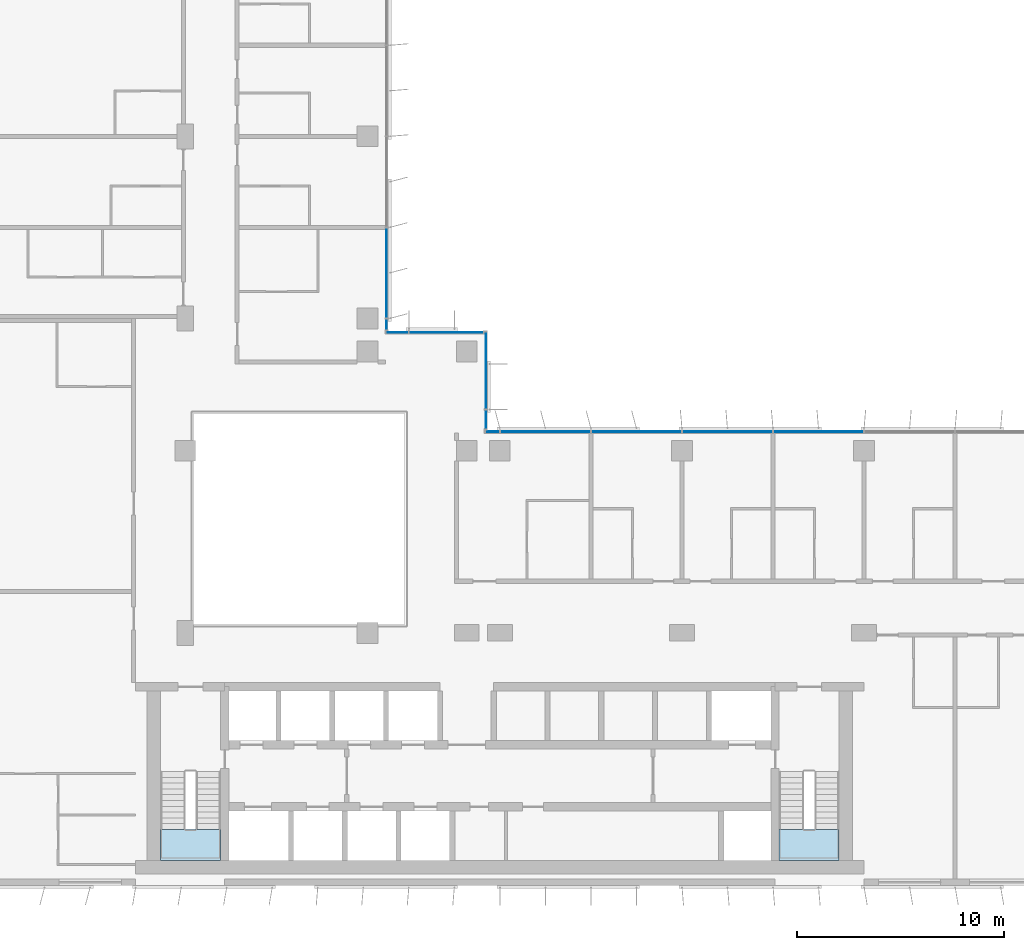
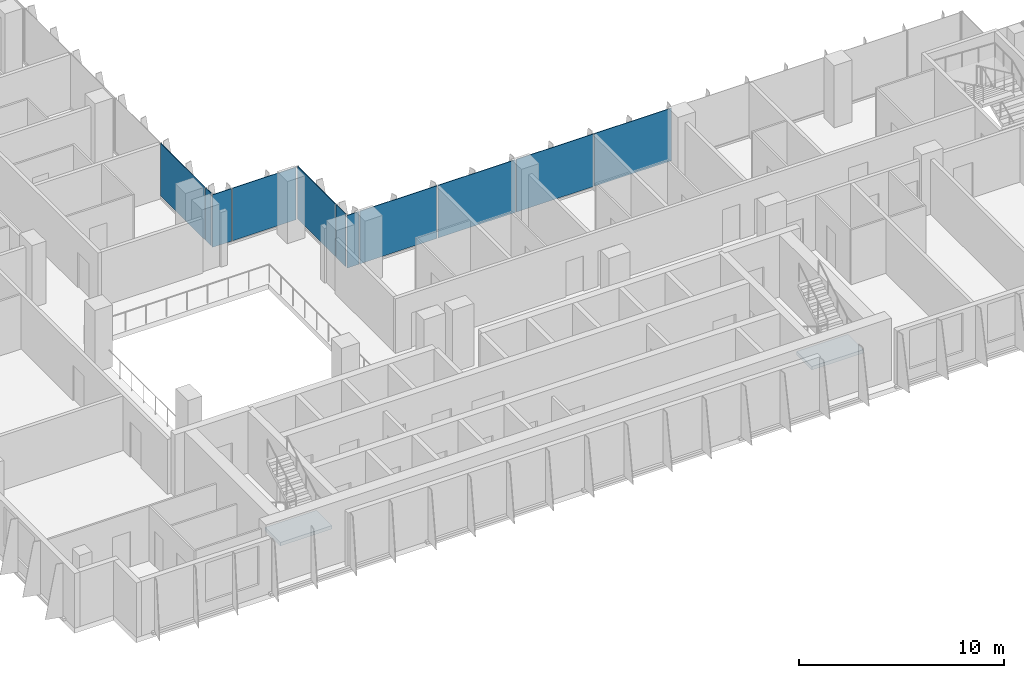
# One storey, part 10 of 21: 11 plates, 2 slabs, 6 elements without a shape of their own.
"""IFC4 building model written with IfcOpenShell, lengths in metres."""

from ifc_helpers import new_model, si_unit, direction, frame, origin, origin_2d, place, context, subcontext, project, spatial, polyline, rectangle, outline, extrude, source, transform, mapped, material, layer, layer_set, type_object, element, aggregate, save


model = new_model("IFC4")

# Units and contexts
model_context = context("Model", 3, precision=1e-05, world=origin(), true_north=direction((0.0, 1.0)))
body_context = subcontext(model_context, "Body", "Model", "MODEL_VIEW")
ifc_project = project(units=[si_unit("LENGTHUNIT", "METRE"), si_unit("AREAUNIT", "SQUARE_METRE"), si_unit("VOLUMEUNIT", "CUBIC_METRE"), si_unit("PLANEANGLEUNIT", "RADIAN"), si_unit("MASSUNIT", "GRAM", prefix="KILO")], contexts=[model_context])

# Site, building, storey
site_placement = place(None, origin())
site = spatial("IfcSite", under=ifc_project, at=site_placement, CompositionType="ELEMENT")
building_placement = place(site_placement, origin())
building = spatial("IfcBuilding", under=site, at=building_placement, Name="Kemantara Hotel Tower", CompositionType="ELEMENT")
storey_placement = place(building_placement, frame((0.0, 0.0, 198.800048828125)))
storey = spatial("IfcBuildingStorey", under=building, at=storey_placement, Name="L49", CompositionType="ELEMENT", Elevation=198.800048828125)

# Stair, slab
ifc_material_1 = material(Name="Concrete fc 40 MPa", Category="concrete")
stair_type = type_object("IfcStairType", Name="Stair 1200 wide 22 risers of 168 x 280 mm", PredefinedType="HALF_TURN_STAIR", material=ifc_material_1)
stair_1_placement = place(storey_placement, origin())
stair_1 = element("IfcStair", 1, at=stair_1_placement, inside=storey, type_object=stair_type, Name="L49 Exit stair ST1", PredefinedType="HALF_TURN_STAIR")
ifc_layer_1 = layer(ifc_material_1, 0.199951171875)
ifc_layer_set_1 = layer_set([ifc_layer_1], Name="Concrete fc 40 MPa")
slab_type = type_object("IfcSlabType", Name="Stair landing 200 mm", PredefinedType="LANDING", material=ifc_layer_set_1)
slab_1_placement = place(storey_placement, frame((0.0, 0.0, 1.64990234375)))
slab_1 = element("IfcSlab", 2, at=slab_1_placement, type_object=slab_type, Name="ST1 landing 1", PredefinedType="LANDING", context=body_context, shape_type="SweptSolid", body=[
    extrude(outline(polyline([(11.0, 2.699951171875), (11.0, 1.199951171875), (13.89990234375, 1.199951171875), (13.89990234375, 2.699951171875), (11.0, 2.699951171875)])), origin(), (0.0, 0.0, 1.0), 0.199951171875),
])
aggregate(stair_1, [slab_1])

stair_2_placement = place(storey_placement, origin())
stair_2 = element("IfcStair", 3, at=stair_2_placement, inside=storey, type_object=stair_type, Name="L49 Exit stair ST2", PredefinedType="HALF_TURN_STAIR")
slab_2_placement = place(storey_placement, frame((0.0, 0.0, 1.64990234375)))
slab_2 = element("IfcSlab", 4, at=slab_2_placement, type_object=slab_type, Name="ST2 landing 1", PredefinedType="LANDING", context=body_context, shape_type="SweptSolid", body=[
    extrude(outline(polyline([(40.89990234375, 2.699951171875), (40.89990234375, 1.199951171875), (43.800048828125, 1.199951171875), (43.800048828125, 2.699951171875), (40.89990234375, 2.699951171875)])), origin(), (0.0, 0.0, 1.0), 0.199951171875),
])
aggregate(stair_2, [slab_2])

# Curtain wall, plates
ifc_material_2 = material(Name="Low-E tinted double insulated glass 36 mm", Category="glass")
curtain_wall_type = type_object("IfcCurtainWallType", Name="TOWER CURTAIN WALL, FRONT FACES", PredefinedType="USERDEFINED", material=ifc_material_2)
curtain_wall_1_placement = place(storey_placement, origin())
curtain_wall_1 = element("IfcCurtainWall", 5, at=curtain_wall_1_placement, inside=storey, type_object=curtain_wall_type, Name="CW4 L49 T3-R14-1", ObjectType="TOWER CURTAIN WALL, FRONT FACES", PredefinedType="USERDEFINED")
ifc_layer_2 = layer(ifc_material_2, 0.035888671875)
ifc_layer_set_2 = layer_set([ifc_layer_2], Name="Low-E tinted double insulated glass 36 mm")
plate_type = type_object("IfcPlateType", Name="TOWER CURTAIN WALL, FRONT FACES PANEL", PredefinedType="CURTAIN_PANEL", material=ifc_layer_set_2)
shared_shape_1 = source(origin(), body_context, "Body", "SweptSolid", [
    extrude(rectangle(XDim=4.340087890625, YDim=0.035888671875, at=origin_2d()), origin(), (0.0, 0.0, 1.0), 3.1298828125),
])
plate_1_placement = place(storey_placement, frame((42.800048828125, 21.925048828125, 0.1201171875), z_axis=(0.0, 0.0, 1.0), x_axis=(-1.0, 0.0, 0.0)))
plate_1 = element("IfcPlate", 6, at=plate_1_placement, type_object=plate_type, Name="CW4 glass panel T3-R14-1.5", PredefinedType="CURTAIN_PANEL", context=body_context, shape_type="MappedRepresentation", body=[
    mapped(shared_shape_1, transform((0.0, 0.0, 0.0))),
])
plate_2_placement = place(storey_placement, frame((38.39990234375, 21.925048828125, 0.1201171875), z_axis=(0.0, 0.0, 1.0), x_axis=(-1.0, 0.0, 0.0)))
plate_2 = element("IfcPlate", 7, at=plate_2_placement, type_object=plate_type, Name="CW4 glass panel T3-R14-1.6", PredefinedType="CURTAIN_PANEL", context=body_context, shape_type="MappedRepresentation", body=[
    mapped(shared_shape_1, transform((0.0, 0.0, 0.0))),
])
plate_3_placement = place(storey_placement, frame((34.0, 21.925048828125, 0.1201171875), z_axis=(0.0, 0.0, 1.0), x_axis=(-1.0, 0.0, 0.0)))
plate_3 = element("IfcPlate", 8, at=plate_3_placement, type_object=plate_type, Name="CW4 glass panel T3-R14-1.7", PredefinedType="CURTAIN_PANEL", context=body_context, shape_type="MappedRepresentation", body=[
    mapped(shared_shape_1, transform((0.0, 0.0, 0.0))),
])
plate_4_placement = place(storey_placement, frame((29.60009765625, 21.925048828125, 0.1201171875), z_axis=(0.0, 0.0, 1.0), x_axis=(-1.0, 0.0, 0.0)))
plate_4 = element("IfcPlate", 9, at=plate_4_placement, type_object=plate_type, Name="CW4 glass panel T3-R14-1.8", PredefinedType="CURTAIN_PANEL", context=body_context, shape_type="MappedRepresentation", body=[
    mapped(shared_shape_1, transform((0.0, 0.0, 0.0))),
])

# Curtain wall, plate
curtain_wall_2_placement = place(storey_placement, origin())
curtain_wall_2 = element("IfcCurtainWall", 10, at=curtain_wall_2_placement, inside=storey, type_object=curtain_wall_type, Name="CW4 L49 T3-R17-1", ObjectType="TOWER CURTAIN WALL, FRONT FACES", PredefinedType="USERDEFINED")
plate_5_placement = place(storey_placement, frame((21.925048828125, 29.60009765625, 0.1201171875), z_axis=(0.0, 0.0, 1.0), x_axis=(0.0, 1.0, 0.0)))
plate_5 = element("IfcPlate", 11, at=plate_5_placement, type_object=plate_type, Name="CW4 glass panel T3-R17-1.2", PredefinedType="CURTAIN_PANEL", context=body_context, shape_type="MappedRepresentation", body=[
    mapped(shared_shape_1, transform((0.0, 0.0, 0.0))),
])

# Plate
shared_shape_2 = source(origin(), body_context, "Body", "SweptSolid", [
    extrude(rectangle(XDim=0.659912109375, YDim=0.035888671875, at=origin_2d()), origin(), (0.0, 0.0, 1.0), 3.1298828125),
])
plate_6_placement = place(storey_placement, frame((27.0400390625, 21.925048828125, 0.1201171875), z_axis=(0.0, 0.0, 1.0), x_axis=(-1.0, 0.0, 0.0)))
plate_6 = element("IfcPlate", 12, at=plate_6_placement, type_object=plate_type, Name="CW4 glass panel T3-R14-1.9", PredefinedType="CURTAIN_PANEL", context=body_context, shape_type="MappedRepresentation", body=[
    mapped(shared_shape_2, transform((0.0, 0.0, 0.0))),
])

aggregate(curtain_wall_1, [plate_1, plate_2, plate_3, plate_4, plate_6])

shared_shape_3 = source(origin(), body_context, "Body", "SweptSolid", [
    extrude(rectangle(XDim=0.510009765625, YDim=0.035888671875, at=origin_2d()), origin(), (0.0, 0.0, 1.0), 3.1298828125),
])
plate_7_placement = place(storey_placement, frame((21.925048828125, 27.114990234375, 0.1201171875), z_axis=(0.0, 0.0, 1.0), x_axis=(0.0, 1.0, 0.0)))
plate_7 = element("IfcPlate", 13, at=plate_7_placement, type_object=plate_type, Name="CW4 glass panel T3-R17-1.1", PredefinedType="CURTAIN_PANEL", context=body_context, shape_type="MappedRepresentation", body=[
    mapped(shared_shape_3, transform((0.0, 0.0, 0.0))),
])

aggregate(curtain_wall_2, [plate_7, plate_5])

# Curtain wall, plates
curtain_wall_3_placement = place(storey_placement, origin())
curtain_wall_3 = element("IfcCurtainWall", 14, at=curtain_wall_3_placement, inside=storey, type_object=curtain_wall_type, Name="CW4 L49 T3-R15-1", ObjectType="TOWER CURTAIN WALL, FRONT FACES", PredefinedType="USERDEFINED")
shared_shape_4 = source(origin(), body_context, "Body", "SweptSolid", [
    extrude(rectangle(XDim=0.909912109375, YDim=0.035888671875, at=origin_2d()), origin(), (0.0, 0.0, 1.0), 3.1298828125),
])
plate_8_placement = place(storey_placement, frame((26.72509765625, 22.514892578125, 0.1201171875), z_axis=(0.0, 0.0, 1.0), x_axis=(0.0, 1.0, 0.0)))
plate_8 = element("IfcPlate", 15, at=plate_8_placement, type_object=plate_type, Name="CW4 glass panel T3-R15-1.1", PredefinedType="CURTAIN_PANEL", context=body_context, shape_type="MappedRepresentation", body=[
    mapped(shared_shape_4, transform((0.0, 0.0, 0.0))),
])
shared_shape_5 = source(origin(), body_context, "Body", "SweptSolid", [
    extrude(rectangle(XDim=3.7099609375, YDim=0.035888671875, at=origin_2d()), origin(), (0.0, 0.0, 1.0), 3.1298828125),
])
plate_9_placement = place(storey_placement, frame((26.72509765625, 24.885009765625, 0.1201171875), z_axis=(0.0, 0.0, 1.0), x_axis=(0.0, 1.0, 0.0)))
plate_9 = element("IfcPlate", 16, at=plate_9_placement, type_object=plate_type, Name="CW4 glass panel T3-R15-1.2", PredefinedType="CURTAIN_PANEL", context=body_context, shape_type="MappedRepresentation", body=[
    mapped(shared_shape_5, transform((0.0, 0.0, 0.0))),
])
aggregate(curtain_wall_3, [plate_8, plate_9])

curtain_wall_4_placement = place(storey_placement, origin())
curtain_wall_4 = element("IfcCurtainWall", 17, at=curtain_wall_4_placement, inside=storey, type_object=curtain_wall_type, Name="CW4 L49 T3-R16-1", ObjectType="TOWER CURTAIN WALL, FRONT FACES", PredefinedType="USERDEFINED")
shared_shape_6 = source(origin(), body_context, "Body", "SweptSolid", [
    extrude(rectangle(XDim=3.56005859375, YDim=0.035888671875, at=origin_2d()), origin(), (0.0, 0.0, 1.0), 3.1298828125),
])
plate_10_placement = place(storey_placement, frame((24.81005859375, 26.72509765625, 0.1201171875), z_axis=(0.0, 0.0, 1.0), x_axis=(-1.0, 0.0, 0.0)))
plate_10 = element("IfcPlate", 18, at=plate_10_placement, type_object=plate_type, Name="CW4 glass panel T3-R16-1.1", PredefinedType="CURTAIN_PANEL", context=body_context, shape_type="MappedRepresentation", body=[
    mapped(shared_shape_6, transform((0.0, 0.0, 0.0))),
])
shared_shape_7 = source(origin(), body_context, "Body", "SweptSolid", [
    extrude(rectangle(XDim=1.06005859375, YDim=0.035888671875, at=origin_2d()), origin(), (0.0, 0.0, 1.0), 3.1298828125),
])
plate_11_placement = place(storey_placement, frame((22.43994140625, 26.72509765625, 0.1201171875), z_axis=(0.0, 0.0, 1.0), x_axis=(-1.0, 0.0, 0.0)))
plate_11 = element("IfcPlate", 19, at=plate_11_placement, type_object=plate_type, Name="CW4 glass panel T3-R16-1.2", PredefinedType="CURTAIN_PANEL", context=body_context, shape_type="MappedRepresentation", body=[
    mapped(shared_shape_7, transform((0.0, 0.0, 0.0))),
])
aggregate(curtain_wall_4, [plate_10, plate_11])

save(model, "model.ifc")
